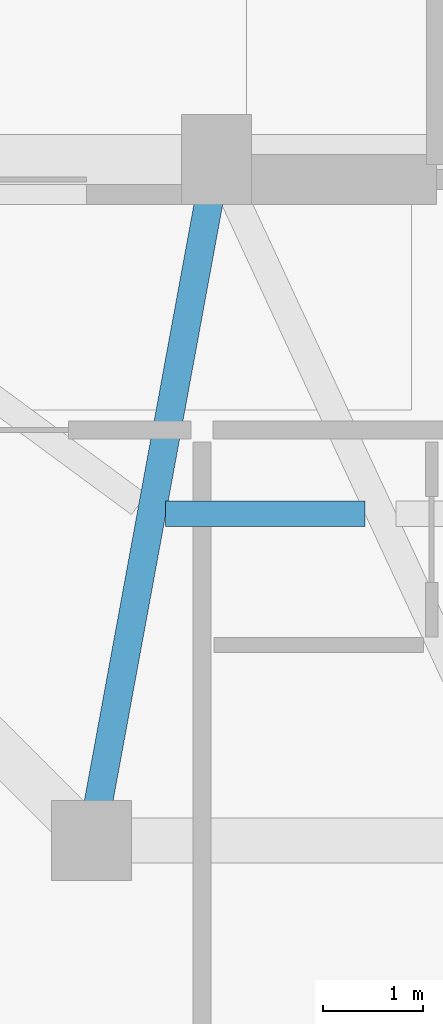
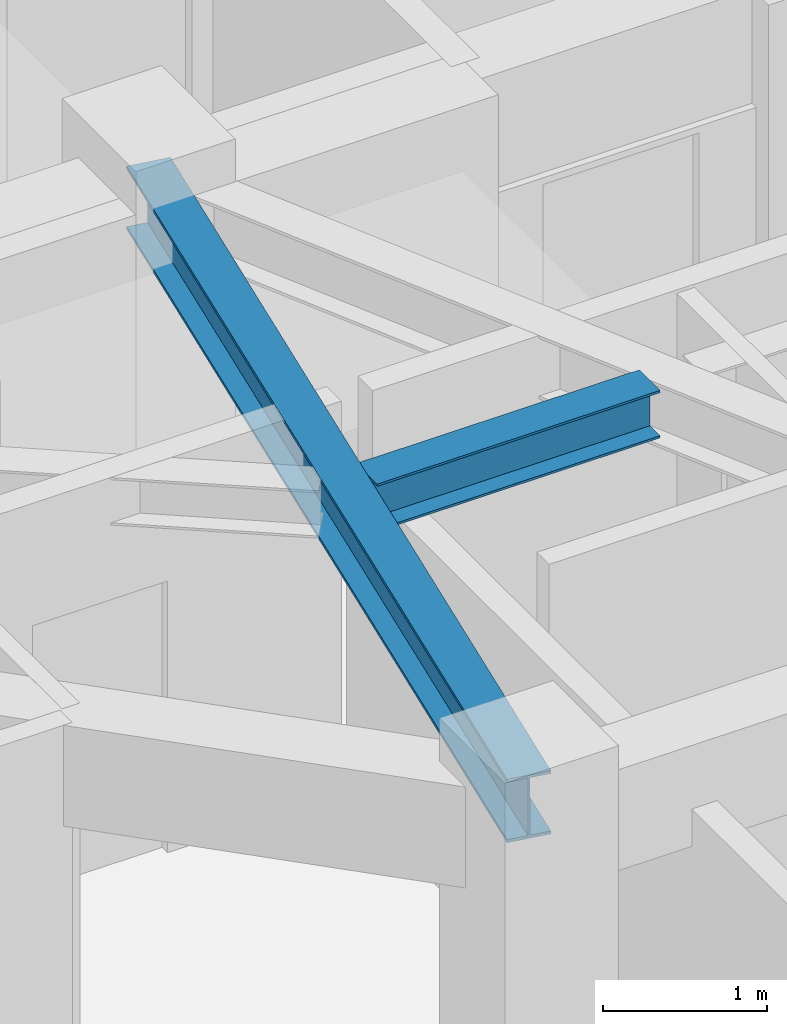
# One storey, part 5 of 29: 2 beams.
"""IFC4 building model written with IfcOpenShell, lengths in metres."""

from ifc_helpers import new_model, si_unit, direction, frame, origin, origin_2d, place, context, subcontext, project, spatial, i_section, extrude, material, material_profile, profile_set, type_object, element, save


model = new_model("IFC4")

# Units and contexts
model_context = context("Model", 3, precision=1e-05, world=origin(), true_north=direction((0.0, 1.0)))
body_context = subcontext(model_context, "Body", "Model", "MODEL_VIEW")
ifc_project = project(units=[si_unit("LENGTHUNIT", "METRE"), si_unit("AREAUNIT", "SQUARE_METRE"), si_unit("VOLUMEUNIT", "CUBIC_METRE"), si_unit("PLANEANGLEUNIT", "RADIAN"), si_unit("MASSUNIT", "GRAM", prefix="KILO")], contexts=[model_context])

# Site, building, storey
site_placement = place(None, origin())
site = spatial("IfcSite", under=ifc_project, at=site_placement, CompositionType="ELEMENT")
building_placement = place(site_placement, origin())
building = spatial("IfcBuilding", under=site, at=building_placement, Name="Veraguas Prism Commons", CompositionType="ELEMENT")
storey_placement = place(building_placement, frame((0.0, 0.0, 261.0)))
storey = spatial("IfcBuildingStorey", under=building, at=storey_placement, Name="L74", CompositionType="ELEMENT", Elevation=261.0)

# Beams
ifc_material = material(Name="Steel ASTM A992 Grade 50", Category="steel")
ifc_material_profile_1 = material_profile(ifc_material, i_section(OverallWidth=0.25390625, OverallDepth=0.35302734375, WebThickness=0.009521484375, FlangeThickness=0.016357421875, at=origin_2d()), Name="W360X91")
ifc_profile_set_1 = profile_set([ifc_material_profile_1], Name="Steel ASTM A992 Grade 50")
beam_type_1 = type_object("IfcBeamType", Name="Upper Floor Joist W360x91", PredefinedType="JOIST", material=ifc_profile_set_1)
beam_1_placement = place(storey_placement, frame((20.341796875, 13.464111328125, 2.75341796875), z_axis=(1.0, 0.0, 0.0), x_axis=(0.0, 1.0, 0.0)))
element("IfcBeam", 1, at=beam_1_placement, inside=storey, type_object=beam_type_1, Name="Composite Floor Joist L74-JS10", PredefinedType="JOIST", context=body_context, shape_type="SweptSolid", body=[
    extrude(i_section(OverallWidth=0.25390625, OverallDepth=0.35302734375, WebThickness=0.009521484375, FlangeThickness=0.016357421875, at=origin_2d()), origin(), (0.0, 0.0, 1.0), 1.992431640625),
])
ifc_material_profile_2 = material_profile(ifc_material, i_section(OverallWidth=0.282958984375, OverallDepth=0.471923828125, WebThickness=0.013671875, FlangeThickness=0.022216796875, at=origin_2d()), Name="W460X144")
ifc_profile_set_2 = profile_set([ifc_material_profile_2], Name="Steel ASTM A992 Grade 50")
beam_type_2 = type_object("IfcBeamType", Name="Zone 4 Radial Girder W460x144", PredefinedType="BEAM", material=ifc_profile_set_2)
beam_2_placement = place(storey_placement, frame((19.60009765625, 10.199951171875, 2.694091796875), z_axis=(0.180793033327, 0.983521163524, 0.0), x_axis=(-0.983521163524, 0.180793033327, 0.0)))
element("IfcBeam", 2, at=beam_2_placement, inside=storey, type_object=beam_type_2, Name="Radial Floor Girder L74-RD10", PredefinedType="BEAM", context=body_context, shape_type="SweptSolid", body=[
    extrude(i_section(OverallWidth=0.282958984375, OverallDepth=0.471923828125, WebThickness=0.013671875, FlangeThickness=0.022216796875, at=origin_2d()), origin(), (0.0, 0.0, 1.0), 6.9140625),
])

save(model, "model.ifc")
